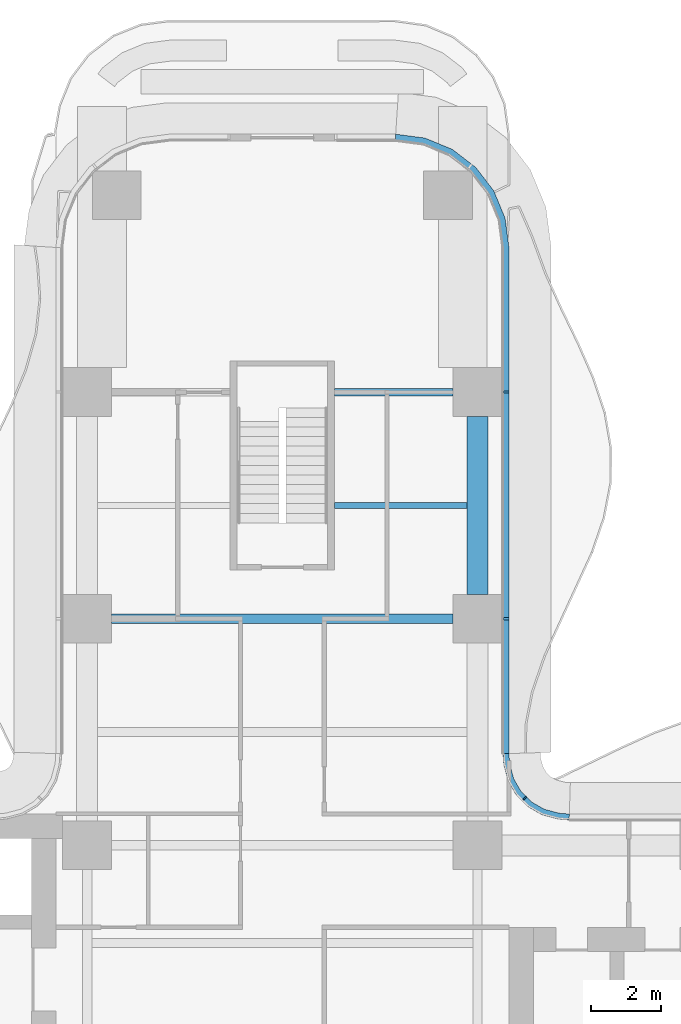
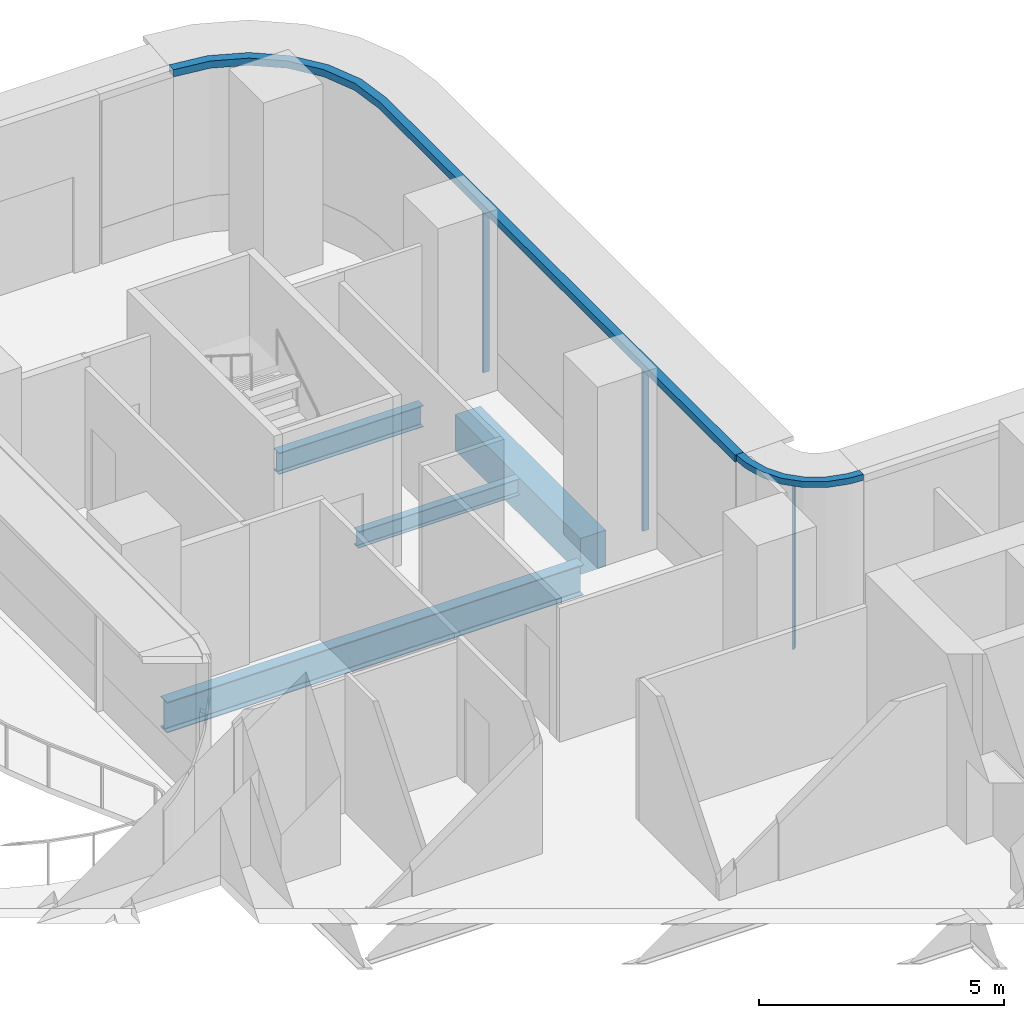
# One storey, part 10 of 22: 5 members, 4 beams, 2 elements without a shape of their own.
"""IFC4 building model written with IfcOpenShell, lengths in metres."""

from ifc_helpers import new_model, si_unit, direction, frame, origin, origin_2d, place, context, subcontext, project, spatial, polyline, rectangle, i_section, outline, extrude, source, transform, mapped, material, layer, layer_set, material_profile, profile_set, type_object, element, aggregate, save


model = new_model("IFC4")

# Units and contexts
model_context = context("Model", 3, precision=1e-05, world=origin(), true_north=direction((0.0, 1.0)))
body_context = subcontext(model_context, "Body", "Model", "MODEL_VIEW")
ifc_project = project(units=[si_unit("LENGTHUNIT", "METRE"), si_unit("AREAUNIT", "SQUARE_METRE"), si_unit("VOLUMEUNIT", "CUBIC_METRE"), si_unit("PLANEANGLEUNIT", "RADIAN"), si_unit("MASSUNIT", "GRAM", prefix="KILO")], contexts=[model_context])

# Site, building, storey
site_placement = place(None, origin())
site = spatial("IfcSite", under=ifc_project, at=site_placement, CompositionType="ELEMENT")
building_placement = place(site_placement, origin())
building = spatial("IfcBuilding", under=site, at=building_placement, Name="Trellis Farm Tower", CompositionType="ELEMENT")
storey_placement = place(building_placement, frame((0.0, 0.0, 61.0)))
storey = spatial("IfcBuildingStorey", under=building, at=storey_placement, Name="L12", CompositionType="ELEMENT", Elevation=61.0)

# Beams
ifc_material_1 = material(Name="Steel S355", Category="steel")
ifc_material_profile_1 = material_profile(ifc_material_1, i_section(OverallWidth=0.209228515625, OverallDepth=0.533203125, WebThickness=0.010009765625, FlangeThickness=0.015625, FilletRadius=0.0126953125, at=origin_2d()), Name="UB 533x210x92")
ifc_profile_set_1 = profile_set([ifc_material_profile_1], Name="Steel S355")
beam_type_1 = type_object("IfcBeamType", Name="UB 533x210x92", PredefinedType="BEAM", material=ifc_profile_set_1)
shared_shape_1 = source(origin(), body_context, "Body", "SweptSolid", [
    extrude(i_section(OverallWidth=0.209228515625, OverallDepth=0.533203125, WebThickness=0.010009765625, FlangeThickness=0.015625, FilletRadius=0.0126953125, at=origin_2d()), origin(), (0.0, 0.0, 1.0), 3.39990234375),
])
beam_1_placement = place(storey_placement, frame((1.5, 18.60009765625, -0.5166015625), z_axis=(1.0, 0.0, 0.0), x_axis=(0.0, 1.0, 0.0)))
element("IfcBeam", 1, at=beam_1_placement, inside=storey, type_object=beam_type_1, Name="Girder", PredefinedType="BEAM", context=body_context, shape_type="MappedRepresentation", body=[
    mapped(shared_shape_1, transform((0.0, 0.0, 0.0))),
])
ifc_material_2 = material(Name="Concrete C60/75", Category="concrete")
ifc_material_profile_2 = material_profile(ifc_material_2, rectangle(XDim=0.60009765625, YDim=0.89990234375, at=origin_2d()), Name="RC spandrel beam 600x900 C60/75")
ifc_profile_set_2 = profile_set([ifc_material_profile_2], Name="Concrete C60/75")
beam_type_2 = type_object("IfcBeamType", Name="RC spandrel beam 600x900 C60/75", PredefinedType="SPANDREL", material=ifc_profile_set_2)
shared_shape_2 = source(origin(), body_context, "Body", "SweptSolid", [
    extrude(rectangle(XDim=0.60009765625, YDim=0.89990234375, at=origin_2d()), origin(), (0.0, 0.0, 1.0), 5.099853515625),
])
beam_2_placement = place(storey_placement, frame((5.60009765625, 12.800048828125, -0.699951171875), z_axis=(0.0, 1.0, 0.0), x_axis=(-1.0, 0.0, 0.0)))
element("IfcBeam", 2, at=beam_2_placement, inside=storey, type_object=beam_type_2, Name="Girder", PredefinedType="SPANDREL", context=body_context, shape_type="MappedRepresentation", body=[
    mapped(shared_shape_2, transform((0.0, 0.0, 0.0))),
])
ifc_material_profile_3 = material_profile(ifc_material_1, i_section(OverallWidth=0.2666015625, OverallDepth=0.76220703125, WebThickness=0.014404296875, FlangeThickness=0.021484375, FilletRadius=0.0166015625, at=origin_2d()), Name="UB 762x267x173")
ifc_profile_set_3 = profile_set([ifc_material_profile_3], Name="Steel S355")
beam_type_3 = type_object("IfcBeamType", Name="UB 762x267x173", PredefinedType="BEAM", material=ifc_profile_set_3)
shared_shape_3 = source(origin(), body_context, "Body", "SweptSolid", [
    extrude(i_section(OverallWidth=0.2666015625, OverallDepth=0.76220703125, WebThickness=0.014404296875, FlangeThickness=0.021484375, FilletRadius=0.0166015625, at=origin_2d()), origin(), (0.0, 0.0, 1.0), 9.7998046875),
])
beam_3_placement = place(storey_placement, frame((-4.89990234375, 12.10009765625, -0.631103515625), z_axis=(1.0, 0.0, 0.0), x_axis=(0.0, 1.0, 0.0)))
element("IfcBeam", 3, at=beam_3_placement, inside=storey, type_object=beam_type_3, Name="Girder", PredefinedType="BEAM", context=body_context, shape_type="MappedRepresentation", body=[
    mapped(shared_shape_3, transform((0.0, 0.0, 0.0))),
])
ifc_material_profile_4 = material_profile(ifc_material_1, i_section(OverallWidth=0.177978515625, OverallDepth=0.406494140625, WebThickness=0.0078125, FlangeThickness=0.0126953125, FilletRadius=0.01025390625, at=origin_2d()), Name="UB 406x178x60")
ifc_profile_set_4 = profile_set([ifc_material_profile_4], Name="Steel S355")
beam_type_4 = type_object("IfcBeamType", Name="UB 406x178x60 joist", PredefinedType="JOIST", material=ifc_profile_set_4)
shared_shape_4 = source(origin(), body_context, "Body", "SweptSolid", [
    extrude(i_section(OverallWidth=0.177978515625, OverallDepth=0.406494140625, WebThickness=0.0078125, FlangeThickness=0.0126953125, FilletRadius=0.01025390625, at=origin_2d()), origin(), (0.0, 0.0, 1.0), 3.800048828125),
])
beam_4_placement = place(storey_placement, frame((1.5, 15.35009765625, -0.453125), z_axis=(1.0, 0.0, 0.0), x_axis=(0.0, 1.0, 0.0)))
element("IfcBeam", 4, at=beam_4_placement, inside=storey, type_object=beam_type_4, Name="Floor beam", PredefinedType="JOIST", context=body_context, shape_type="MappedRepresentation", body=[
    mapped(shared_shape_4, transform((0.0, 0.0, 0.0))),
])

# Curtain wall, members
ifc_material_3 = material(Name="Aluminium and glass curtain wall", Category="aluminium")
ifc_layer_1 = layer(ifc_material_3, 0.18994140625)
ifc_layer_set_1 = layer_set([ifc_layer_1], Name="RIBBON CURTAIN WALL CW1")
curtain_wall_type_1 = type_object("IfcCurtainWallType", Name="RIBBON CURTAIN WALL CW1", PredefinedType="NOTDEFINED", material=ifc_layer_set_1)
placement = place(storey_placement, origin())
curtain_wall_1 = element("IfcCurtainWall", 5, at=placement, inside=storey, type_object=curtain_wall_type_1, Name="CW1 009", PredefinedType="NOTDEFINED")
ifc_material_4 = material(Name="Aluminium extrusion 6063-T6", Category="aluminium")
ifc_material_profile_5 = material_profile(ifc_material_4, rectangle(XDim=0.06005859375, YDim=0.14990234375, at=origin_2d()), Name="MULLION 60x150")
ifc_profile_set_5 = profile_set([ifc_material_profile_5], Name="Aluminium extrusion 6063-T6")
member_type_1 = type_object("IfcMemberType", Name="CW1 MULLION 60x150", PredefinedType="MULLION", material=ifc_profile_set_5)
shared_shape_5 = source(origin(), body_context, "Body", "SweptSolid", [
    extrude(rectangle(XDim=0.06005859375, YDim=0.14990234375, at=origin_2d()), origin(), (0.0, 0.0, 1.0), 4.070068359375),
])
member_1_placement = place(storey_placement, frame((6.425048828125, 12.10009765625, 0.0), z_axis=(0.0, 0.0, 1.0), x_axis=(0.0, 1.0, 0.0)))
member_1 = element("IfcMember", 6, at=member_1_placement, type_object=member_type_1, Name="MU1 009-01", PredefinedType="MULLION", context=body_context, shape_type="MappedRepresentation", body=[
    mapped(shared_shape_5, transform((0.0, 0.0, 0.0))),
])
member_2_placement = place(storey_placement, frame((6.425048828125, 18.60009765625, 0.0), z_axis=(0.0, 0.0, 1.0), x_axis=(0.0, 1.0, 0.0)))
member_2 = element("IfcMember", 7, at=member_2_placement, type_object=member_type_1, Name="MU1 009-02", PredefinedType="MULLION", context=body_context, shape_type="MappedRepresentation", body=[
    mapped(shared_shape_5, transform((0.0, 0.0, 0.0))),
])

ifc_layer_2 = layer(ifc_material_3, 0.166015625)
ifc_layer_set_2 = layer_set([ifc_layer_2], Name="WINTER GARDEN CURTAIN WALL CW3")
curtain_wall_type_2 = type_object("IfcCurtainWallType", Name="WINTER GARDEN CURTAIN WALL CW3", PredefinedType="NOTDEFINED", material=ifc_layer_set_2)
curtain_wall_2 = element("IfcCurtainWall", 8, at=placement, inside=storey, type_object=curtain_wall_type_2, Name="CW3 003", PredefinedType="NOTDEFINED")
ifc_material_profile_6 = material_profile(ifc_material_4, rectangle(XDim=0.050048828125, YDim=0.1201171875, at=origin_2d()), Name="MULLION 50x120")
ifc_profile_set_6 = profile_set([ifc_material_profile_6], Name="Aluminium extrusion 6063-T6")
member_type_2 = type_object("IfcMemberType", Name="CW3 MULLION 50x120", PredefinedType="MULLION", material=ifc_profile_set_6)
shared_shape_6 = source(origin(), body_context, "Body", "SweptSolid", [
    extrude(rectangle(XDim=0.050048828125, YDim=0.1201171875, at=origin_2d()), origin(), (0.0, 0.0, 1.0), 4.10009765625),
])
member_3_placement = place(storey_placement, frame((6.953125, 6.953125, 0.0), z_axis=(0.0, 0.0, 1.0), x_axis=(-0.707106781187, 0.707106781187, 0.0)))
member_3 = element("IfcMember", 9, at=member_3_placement, type_object=member_type_2, Name="MU3 003-01", PredefinedType="MULLION", context=body_context, shape_type="MappedRepresentation", body=[
    mapped(shared_shape_6, transform((0.0, 0.0, 0.0))),
])
ifc_layer_3 = layer(ifc_material_4, 0.169921875)
ifc_layer_set_3 = layer_set([ifc_layer_3], Name="Aluminium extrusion 6063-T6")
member_type_3 = type_object("IfcMemberType", Name="CW3 TRANSOM 170x150", PredefinedType="USERDEFINED", material=ifc_layer_set_3)
shared_shape_7 = source(origin(), body_context, "Body", "SweptSolid", [
    extrude(outline(polyline([(8.2314453125, 6.5), (8.01953125, 6.513916015625), (7.91552734375, 6.527587890625), (7.508544921875, 6.63671875), (7.144287109375, 6.846923828125), (6.846923828125, 7.144287109375), (6.63671875, 7.508544921875), (6.527587890625, 7.91552734375), (6.513916015625, 8.01953125), (6.5, 8.2314453125), (6.330078125, 8.225830078125), (6.3447265625, 8.0029296875), (6.360595703125, 7.88232421875), (6.478271484375, 7.44287109375), (6.7109375, 7.0400390625), (7.0400390625, 6.7109375), (7.44287109375, 6.478271484375), (7.88232421875, 6.360595703125), (8.0029296875, 6.3447265625), (8.225830078125, 6.330078125), (8.2314453125, 6.5)])), origin(), (0.0, 0.0, 1.0), 0.14990234375),
])
member_4_placement = place(storey_placement, frame((0.0, 0.0, 4.10009765625)))
member_4 = element("IfcMember", 10, at=member_4_placement, type_object=member_type_3, Name="TR3 003", ObjectType="TRANSOM", PredefinedType="USERDEFINED", context=body_context, shape_type="MappedRepresentation", body=[
    mapped(shared_shape_7, transform((0.0, 0.0, 0.0))),
])
aggregate(curtain_wall_2, [member_3, member_4])

# Member
ifc_layer_4 = layer(ifc_material_4, 0.199951171875)
ifc_layer_set_4 = layer_set([ifc_layer_4], Name="Aluminium extrusion 6063-T6")
member_type_4 = type_object("IfcMemberType", Name="CW1 TRANSOM 200x180", PredefinedType="USERDEFINED", material=ifc_layer_set_4)
shared_shape_8 = source(origin(), body_context, "Body", "SweptSolid", [
    extrude(outline(polyline([(6.5, 8.2314453125), (6.5, 22.75), (6.38916015625, 23.591064453125), (6.064697265625, 24.375), (5.548095703125, 25.048095703125), (4.875, 25.564697265625), (4.091064453125, 25.88916015625), (3.25, 26.0), (3.23681640625, 25.800048828125), (4.0390625, 25.6943359375), (4.774169921875, 25.389892578125), (5.405517578125, 24.905517578125), (5.889892578125, 24.274169921875), (6.1943359375, 23.5390625), (6.300048828125, 22.73681640625), (6.300048828125, 8.224853515625), (6.5, 8.2314453125)])), origin(), (0.0, 0.0, 1.0), 0.179931640625),
])
member_5_placement = place(storey_placement, frame((0.0, 0.0, 4.070068359375)))
member_5 = element("IfcMember", 11, at=member_5_placement, type_object=member_type_4, Name="TR1 009", ObjectType="TRANSOM", PredefinedType="USERDEFINED", context=body_context, shape_type="MappedRepresentation", body=[
    mapped(shared_shape_8, transform((0.0, 0.0, 0.0))),
])

aggregate(curtain_wall_1, [member_1, member_2, member_5])

save(model, "model.ifc")
